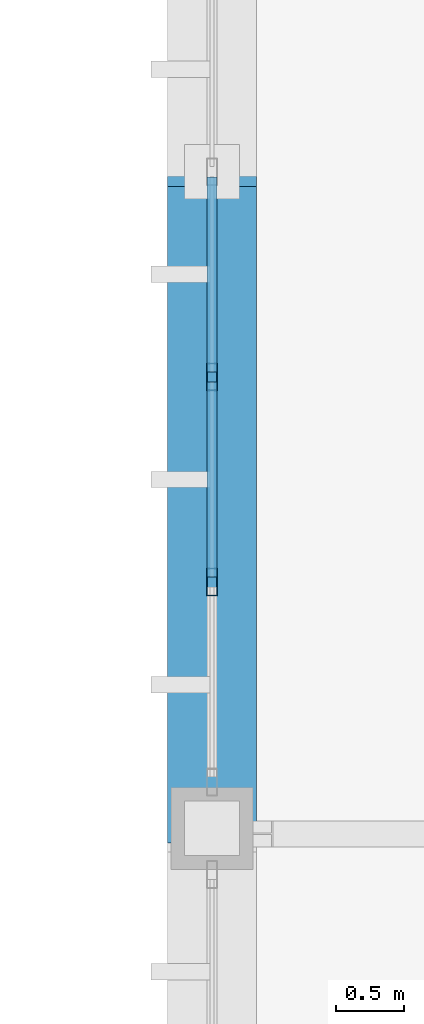
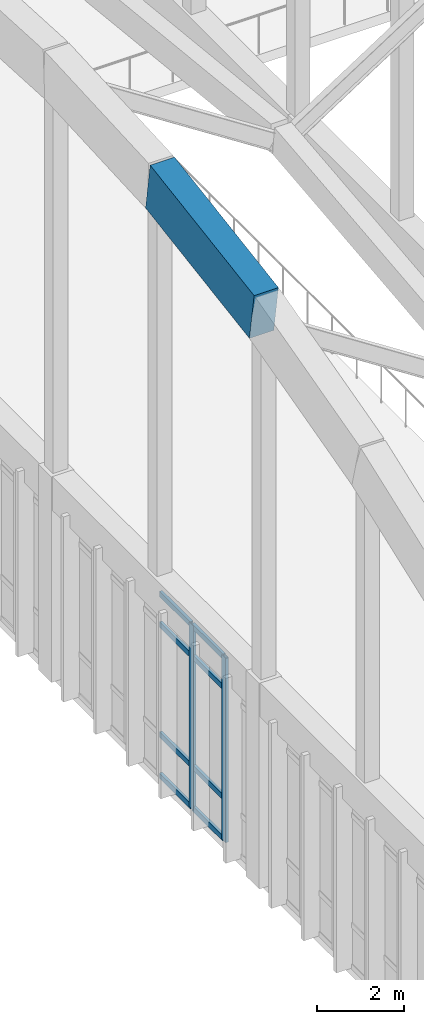
# One storey, part 39 of 236: 11 members, 1 element without a shape of its own.
"""IFC4 building model written with IfcOpenShell, lengths in metres."""

from ifc_helpers import new_model, si_unit, direction, frame, origin, origin_2d, place, context, subcontext, project, spatial, rectangle, hollow_rectangle, extrude, material, layer, layer_set, material_profile, profile_set, type_object, element, aggregate, save


model = new_model("IFC4")

# Units and contexts
model_context = context("Model", 3, precision=1e-05, world=origin(), true_north=direction((0.0, 1.0)))
body_context = subcontext(model_context, "Body", "Model", "MODEL_VIEW")
ifc_project = project(units=[si_unit("LENGTHUNIT", "METRE"), si_unit("AREAUNIT", "SQUARE_METRE"), si_unit("VOLUMEUNIT", "CUBIC_METRE"), si_unit("PLANEANGLEUNIT", "RADIAN"), si_unit("MASSUNIT", "GRAM", prefix="KILO")], contexts=[model_context])

# Site, building, storey
site_placement = place(None, origin())
site = spatial("IfcSite", under=ifc_project, at=site_placement, CompositionType="ELEMENT")
building_placement = place(site_placement, origin())
building = spatial("IfcBuilding", under=site, at=building_placement, Name="Pandanus Reach Market Hall", CompositionType="ELEMENT")
storey_placement = place(building_placement, frame((0.0, 0.0, 5.39990234375)))
storey = spatial("IfcBuildingStorey", under=building, at=storey_placement, Name="L01", CompositionType="ELEMENT", Elevation=5.39990234375)

# Member
ifc_material_1 = material(Name="Concrete N50 (50 MPa)", Category="concrete")
ifc_material_profile_1 = material_profile(ifc_material_1, rectangle(XDim=0.64990234375, YDim=1.35009765625, at=origin_2d()), Name="RC650x1350", Category="LoadBearing")
ifc_profile_set_1 = profile_set([ifc_material_profile_1], Name="Concrete N50 (50 MPa)")
member_type_1 = type_object("IfcMemberType", Name="AR-RC650-E", PredefinedType="CHORD", material=ifc_profile_set_1)
member_1_placement = place(storey_placement, frame((48.0, 48.0, 15.9580078125), z_axis=(0.0, 0.987485724156, 0.15770841635), x_axis=(-1.0, 0.0, 0.0)))
element("IfcMember", 1, at=member_1_placement, inside=storey, type_object=member_type_1, Name="Parabolic arch top chord A1.5", PredefinedType="CHORD", context=body_context, shape_type="SweptSolid", body=[
    extrude(rectangle(XDim=0.64990234375, YDim=1.35009765625, at=origin_2d()), origin(), (0.0, 0.0, 1.0), 4.86083984375),
])

# Curtain wall, members
ifc_material_2 = material(Name="Bronze anodised aluminium and low-E glass", Category="aluminium")
ifc_layer = layer(ifc_material_2, 0.199951171875, Name="CW-05")
ifc_layer_set = layer_set([ifc_layer], Name="Bronze anodised aluminium and low-E glass")
curtain_wall_type = type_object("IfcCurtainWallType", Name="CW-05", PredefinedType="NOTDEFINED", material=ifc_layer_set)
curtain_wall_placement = place(storey_placement, origin())
curtain_wall = element("IfcCurtainWall", 2, at=curtain_wall_placement, inside=storey, type_object=curtain_wall_type, Name="Glazed curtain wall CW-05 CW-0025", PredefinedType="NOTDEFINED")
ifc_material_3 = material(Name="Bronze anodised aluminium", Category="aluminium")
ifc_material_profile_2 = material_profile(ifc_material_3, hollow_rectangle(XDim=0.074951171875, YDim=0.199951171875, WallThickness=0.00439453125, at=origin_2d()), Name="ALU75x200", Category="LoadBearing")
ifc_profile_set_2 = profile_set([ifc_material_profile_2], Name="Bronze anodised aluminium")
member_type_2 = type_object("IfcMemberType", Name="CW-M2", PredefinedType="MULLION", material=ifc_profile_set_2)
member_2_placement = place(storey_placement, frame((48.0, 49.800048828125, 0.0), z_axis=(0.0, 0.0, 1.0), x_axis=(-1.0, 0.0, 0.0)))
member_2 = element("IfcMember", 3, at=member_2_placement, type_object=member_type_2, Name="CW-05 mullion 2", PredefinedType="MULLION", context=body_context, shape_type="SweptSolid", body=[
    extrude(hollow_rectangle(XDim=0.074951171875, YDim=0.199951171875, WallThickness=0.00439453125, at=origin_2d()), origin(), (0.0, 0.0, 1.0), 5.2001953125),
])
member_3_placement = place(storey_placement, frame((48.0, 51.300048828125, 0.0), z_axis=(0.0, 0.0, 1.0), x_axis=(-1.0, 0.0, 0.0)))
member_3 = element("IfcMember", 4, at=member_3_placement, type_object=member_type_2, Name="CW-05 mullion 3", PredefinedType="MULLION", context=body_context, shape_type="SweptSolid", body=[
    extrude(hollow_rectangle(XDim=0.074951171875, YDim=0.199951171875, WallThickness=0.00439453125, at=origin_2d()), origin(), (0.0, 0.0, 1.0), 5.2001953125),
])
ifc_material_profile_3 = material_profile(ifc_material_3, hollow_rectangle(XDim=0.074951171875, YDim=0.14990234375, WallThickness=0.00439453125, at=origin_2d()), Name="ALU75x150", Category="LoadBearing")
ifc_profile_set_3 = profile_set([ifc_material_profile_3], Name="Bronze anodised aluminium")
member_type_3 = type_object("IfcMemberType", Name="CW-T2", PredefinedType="USERDEFINED", material=ifc_profile_set_3)
member_4_placement = place(storey_placement, frame((48.0, 49.83740234375, 0.03759765625), z_axis=(0.0, 1.0, 0.0), x_axis=(-1.0, 0.0, 0.0)))
member_4 = element("IfcMember", 5, at=member_4_placement, type_object=member_type_3, Name="CW-05 transom 2.1", ObjectType="TRANSOM", PredefinedType="USERDEFINED", context=body_context, shape_type="SweptSolid", body=[
    extrude(hollow_rectangle(XDim=0.074951171875, YDim=0.14990234375, WallThickness=0.00439453125, at=origin_2d()), origin(), (0.0, 0.0, 1.0), 1.425048828125),
])
member_5_placement = place(storey_placement, frame((48.0, 49.83740234375, 1.2001953125), z_axis=(0.0, 1.0, 0.0), x_axis=(-1.0, 0.0, 0.0)))
member_5 = element("IfcMember", 6, at=member_5_placement, type_object=member_type_3, Name="CW-05 transom 2.2", ObjectType="TRANSOM", PredefinedType="USERDEFINED", context=body_context, shape_type="SweptSolid", body=[
    extrude(hollow_rectangle(XDim=0.074951171875, YDim=0.14990234375, WallThickness=0.00439453125, at=origin_2d()), origin(), (0.0, 0.0, 1.0), 1.425048828125),
])
member_6_placement = place(storey_placement, frame((48.0, 49.83740234375, 4.300048828125), z_axis=(0.0, 1.0, 0.0), x_axis=(-1.0, 0.0, 0.0)))
member_6 = element("IfcMember", 7, at=member_6_placement, type_object=member_type_3, Name="CW-05 transom 2.3", ObjectType="TRANSOM", PredefinedType="USERDEFINED", context=body_context, shape_type="SweptSolid", body=[
    extrude(hollow_rectangle(XDim=0.074951171875, YDim=0.14990234375, WallThickness=0.00439453125, at=origin_2d()), origin(), (0.0, 0.0, 1.0), 1.425048828125),
])
member_7_placement = place(storey_placement, frame((48.0, 49.83740234375, 5.16259765625), z_axis=(0.0, 1.0, 0.0), x_axis=(-1.0, 0.0, 0.0)))
member_7 = element("IfcMember", 8, at=member_7_placement, type_object=member_type_3, Name="CW-05 transom 2.4", ObjectType="TRANSOM", PredefinedType="USERDEFINED", context=body_context, shape_type="SweptSolid", body=[
    extrude(hollow_rectangle(XDim=0.074951171875, YDim=0.14990234375, WallThickness=0.00439453125, at=origin_2d()), origin(), (0.0, 0.0, 1.0), 1.425048828125),
])
member_8_placement = place(storey_placement, frame((48.0, 51.33740234375, 0.03759765625), z_axis=(0.0, 1.0, 0.0), x_axis=(-1.0, 0.0, 0.0)))
member_8 = element("IfcMember", 9, at=member_8_placement, type_object=member_type_3, Name="CW-05 transom 3.1", ObjectType="TRANSOM", PredefinedType="USERDEFINED", context=body_context, shape_type="SweptSolid", body=[
    extrude(hollow_rectangle(XDim=0.074951171875, YDim=0.14990234375, WallThickness=0.00439453125, at=origin_2d()), origin(), (0.0, 0.0, 1.0), 1.425048828125),
])
member_9_placement = place(storey_placement, frame((48.0, 51.33740234375, 1.2001953125), z_axis=(0.0, 1.0, 0.0), x_axis=(-1.0, 0.0, 0.0)))
member_9 = element("IfcMember", 10, at=member_9_placement, type_object=member_type_3, Name="CW-05 transom 3.2", ObjectType="TRANSOM", PredefinedType="USERDEFINED", context=body_context, shape_type="SweptSolid", body=[
    extrude(hollow_rectangle(XDim=0.074951171875, YDim=0.14990234375, WallThickness=0.00439453125, at=origin_2d()), origin(), (0.0, 0.0, 1.0), 1.425048828125),
])
member_10_placement = place(storey_placement, frame((48.0, 51.33740234375, 4.300048828125), z_axis=(0.0, 1.0, 0.0), x_axis=(-1.0, 0.0, 0.0)))
member_10 = element("IfcMember", 11, at=member_10_placement, type_object=member_type_3, Name="CW-05 transom 3.3", ObjectType="TRANSOM", PredefinedType="USERDEFINED", context=body_context, shape_type="SweptSolid", body=[
    extrude(hollow_rectangle(XDim=0.074951171875, YDim=0.14990234375, WallThickness=0.00439453125, at=origin_2d()), origin(), (0.0, 0.0, 1.0), 1.425048828125),
])
member_11_placement = place(storey_placement, frame((48.0, 51.33740234375, 5.16259765625), z_axis=(0.0, 1.0, 0.0), x_axis=(-1.0, 0.0, 0.0)))
member_11 = element("IfcMember", 12, at=member_11_placement, type_object=member_type_3, Name="CW-05 transom 3.4", ObjectType="TRANSOM", PredefinedType="USERDEFINED", context=body_context, shape_type="SweptSolid", body=[
    extrude(hollow_rectangle(XDim=0.074951171875, YDim=0.14990234375, WallThickness=0.00439453125, at=origin_2d()), origin(), (0.0, 0.0, 1.0), 1.425048828125),
])
aggregate(curtain_wall, [member_2, member_3, member_4, member_5, member_6, member_7, member_8, member_9, member_10, member_11])

save(model, "model.ifc")
